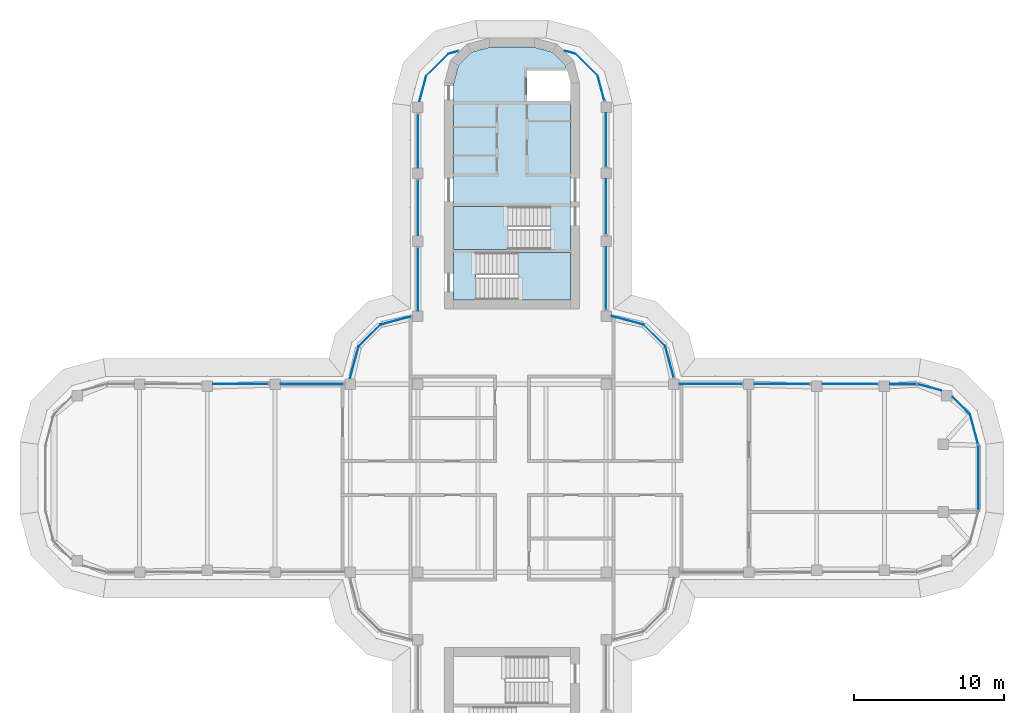
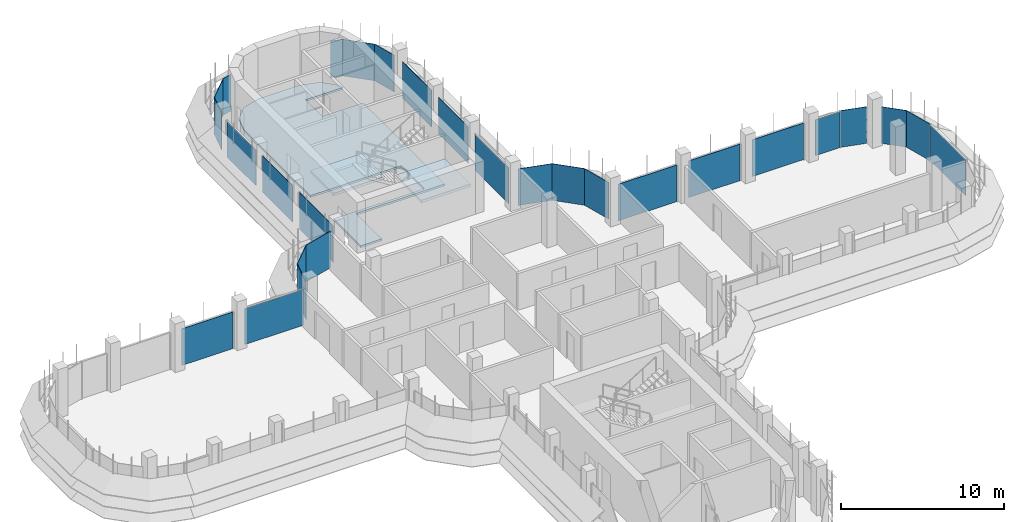
# One storey, part 12 of 19: 28 plates, 3 slabs, 22 elements without a shape of their own.
"""IFC4 building model written with IfcOpenShell, lengths in metres."""

from ifc_helpers import new_model, si_unit, direction, frame, origin, place, context, subcontext, project, spatial, polyline, outline, extrude, source, transform, mapped, material, layer, layer_set, type_object, element, aggregate, save


model = new_model("IFC4")

# Units and contexts
model_context = context("Model", 3, precision=1e-05, world=origin(), true_north=direction((0.0, 1.0)))
body_context = subcontext(model_context, "Body", "Model", "MODEL_VIEW")
ifc_project = project(units=[si_unit("LENGTHUNIT", "METRE"), si_unit("AREAUNIT", "SQUARE_METRE"), si_unit("VOLUMEUNIT", "CUBIC_METRE"), si_unit("PLANEANGLEUNIT", "RADIAN"), si_unit("MASSUNIT", "GRAM", prefix="KILO")], contexts=[model_context])

# Site, building, storey
site_placement = place(None, origin())
site = spatial("IfcSite", under=ifc_project, at=site_placement, CompositionType="ELEMENT")
building_placement = place(site_placement, origin())
building = spatial("IfcBuilding", under=site, at=building_placement, Name="Zarbagh Exchange Tower", CompositionType="ELEMENT")
storey_placement = place(building_placement, frame((0.0, 0.0, 229.60009765625)))
storey = spatial("IfcBuildingStorey", under=building, at=storey_placement, Name="L56", CompositionType="ELEMENT", Elevation=229.60009765625)

# Slab
ifc_material_1 = material(Name="Concrete C40/50", Category="concrete")
ifc_layer_1 = layer(ifc_material_1, 0.14990234375)
ifc_layer_set_1 = layer_set([ifc_layer_1], Name="Core floor slab 150 C40/50")
slab_type_1 = type_object("IfcSlabType", Name="Core floor slab 150 C40/50", PredefinedType="FLOOR", material=ifc_layer_set_1)
slab_1_placement = place(storey_placement, frame((0.0, 0.0, -0.150146484375)))
element("IfcSlab", 1, at=slab_1_placement, inside=storey, type_object=slab_type_1, Name="S17 core N", PredefinedType="FLOOR", context=body_context, shape_type="SweptSolid", body=[
    extrude(outline(polyline([(-3.89990234375, 11.85009765625), (-3.89990234375, 15.199951171875), (2.550048828125, 15.199951171875), (2.550048828125, 18.050048828125), (-3.89990234375, 18.050048828125), (-3.89990234375, 26.1708984375), (-3.56005859375, 27.439453125), (-2.689453125, 28.31005859375), (-1.4208984375, 28.64990234375), (1.4208984375, 28.64990234375), (2.689453125, 28.31005859375), (3.56005859375, 27.439453125), (3.651123046875, 27.10009765625), (1.0, 27.10009765625), (1.0, 25.050048828125), (3.89990234375, 25.050048828125), (3.89990234375, 15.0), (-2.39990234375, 15.0), (-2.39990234375, 11.85009765625), (-3.89990234375, 11.85009765625)])), origin(), (0.0, 0.0, 1.0), 0.150146484375),
])

# Stair, slab
stair_type = type_object("IfcStairType", Name="Exit stair two-flight half-turn", PredefinedType="HALF_TURN_STAIR", material=ifc_material_1)
stair_1_placement = place(storey_placement, origin())
stair_1 = element("IfcStair", 2, at=stair_1_placement, inside=storey, type_object=stair_type, Name="exit stair ST1", PredefinedType="HALF_TURN_STAIR")
ifc_layer_2 = layer(ifc_material_1, 0.199951171875)
ifc_layer_set_2 = layer_set([ifc_layer_2], Name="Stair landing 200 mm")
slab_type_2 = type_object("IfcSlabType", Name="Stair landing 200 mm", PredefinedType="LANDING", material=ifc_layer_set_2)
slab_2_placement = place(storey_placement, frame((0.0, 0.0, 1.699951171875)))
slab_2 = element("IfcSlab", 3, at=slab_2_placement, type_object=slab_type_2, Name="ST1 landing 1", PredefinedType="LANDING", context=body_context, shape_type="SweptSolid", body=[
    extrude(outline(polyline([(-0.25, 18.050048828125), (-3.89990234375, 18.050048828125), (-3.89990234375, 15.199951171875), (-0.25, 15.199951171875), (-0.25, 18.050048828125)])), origin(), (0.0, 0.0, 1.0), 0.199951171875),
])
aggregate(stair_1, [slab_2])

stair_2_placement = place(storey_placement, origin())
stair_2 = element("IfcStair", 4, at=stair_2_placement, inside=storey, type_object=stair_type, Name="exit stair ST2", PredefinedType="HALF_TURN_STAIR")
slab_3_placement = place(storey_placement, frame((0.0, 0.0, 1.699951171875)))
slab_3 = element("IfcSlab", 5, at=slab_3_placement, type_object=slab_type_2, Name="ST2 landing 1", PredefinedType="LANDING", context=body_context, shape_type="SweptSolid", body=[
    extrude(outline(polyline([(0.39990234375, 11.85009765625), (3.89990234375, 11.85009765625), (3.89990234375, 15.0), (0.39990234375, 15.0), (0.39990234375, 11.85009765625)])), origin(), (0.0, 0.0, 1.0), 0.199951171875),
])
aggregate(stair_2, [slab_3])

# Curtain wall, plate
ifc_material_2 = material(Name="Anodised aluminium frame and glazing", Category="aluminium")
curtain_wall_type = type_object("IfcCurtainWallType", Name="CWB Ribbon glazing, upper zones", PredefinedType="NOTDEFINED", material=ifc_material_2)
curtain_wall_1_placement = place(storey_placement, origin())
curtain_wall_1 = element("IfcCurtainWall", 6, at=curtain_wall_1_placement, inside=storey, type_object=curtain_wall_type, Name="CWB18 curtain wall", PredefinedType="NOTDEFINED")
ifc_material_3 = material(Name="Low-e double glazed unit, 6+12+6 mm")
ifc_layer_3 = layer(ifc_material_3, 0.031982421875)
ifc_layer_set_3 = layer_set([ifc_layer_3], Name="PAB Glazing panel, Low-e double glazed unit, 6+12+6 mm")
plate_type = type_object("IfcPlateType", Name="PAB Glazing panel, Low-e double glazed unit, 6+12+6 mm", PredefinedType="CURTAIN_PANEL", material=ifc_layer_set_3)
shared_shape_1 = source(origin(), body_context, "Body", "SweptSolid", [
    extrude(outline(polyline([(0.0, -0.01611328125), (2.061279296875, -0.01611328125), (2.061279296875, 0.01611328125), (0.0, 0.01611328125), (0.0, -0.01611328125)])), origin(), (0.0, 0.0, 1.0), 2.75),
])
placement = place(storey_placement, origin())
plate_1 = element("IfcPlate", 7, at=placement, type_object=plate_type, Name="CWB18 glazing panel 1.1", PredefinedType="CURTAIN_PANEL", context=body_context, shape_type="MappedRepresentation", body=[
    mapped(shared_shape_1, transform((10.19873046875, 8.7412109375, 0.0), x_axis=(-0.707106781187, 0.707106781187, 0.0), y_axis=(-0.707106781187, -0.707106781187, 0.0), z_axis=(0.0, 0.0, 1.0))),
])
aggregate(curtain_wall_1, [plate_1])

curtain_wall_2_placement = place(storey_placement, origin())
curtain_wall_2 = element("IfcCurtainWall", 8, at=curtain_wall_2_placement, inside=storey, type_object=curtain_wall_type, Name="CWB74 curtain wall", PredefinedType="NOTDEFINED")
plate_2 = element("IfcPlate", 9, at=placement, type_object=plate_type, Name="CWB74 glazing panel 1.1", PredefinedType="CURTAIN_PANEL", context=body_context, shape_type="MappedRepresentation", body=[
    mapped(shared_shape_1, transform((5.69873046875, 26.7412109375, 0.0), x_axis=(-0.707106781187, 0.707106781187, 0.0), y_axis=(-0.707106781187, -0.707106781187, 0.0), z_axis=(0.0, 0.0, 1.0))),
])
aggregate(curtain_wall_2, [plate_2])

curtain_wall_3_placement = place(storey_placement, origin())
curtain_wall_3 = element("IfcCurtainWall", 10, at=curtain_wall_3_placement, inside=storey, type_object=curtain_wall_type, Name="CWB71 curtain wall", PredefinedType="NOTDEFINED")
plate_3 = element("IfcPlate", 11, at=placement, type_object=plate_type, Name="CWB71 glazing panel 1.1", PredefinedType="CURTAIN_PANEL", context=body_context, shape_type="MappedRepresentation", body=[
    mapped(shared_shape_1, transform((-4.2412109375, 28.19873046875, 0.0), x_axis=(-0.707106781187, -0.707106781187, 0.0), y_axis=(0.707106781187, -0.707106781187, 0.0), z_axis=(0.0, 0.0, 1.0))),
])
aggregate(curtain_wall_3, [plate_3])

curtain_wall_4_placement = place(storey_placement, origin())
curtain_wall_4 = element("IfcCurtainWall", 12, at=curtain_wall_4_placement, inside=storey, type_object=curtain_wall_type, Name="CWB30 curtain wall", PredefinedType="NOTDEFINED")
plate_4 = element("IfcPlate", 13, at=placement, type_object=plate_type, Name="CWB30 glazing panel 1.1", PredefinedType="CURTAIN_PANEL", context=body_context, shape_type="MappedRepresentation", body=[
    mapped(shared_shape_1, transform((-8.7412109375, 10.19873046875, 0.0), x_axis=(-0.707106781187, -0.707106781187, 0.0), y_axis=(0.707106781187, -0.707106781187, 0.0), z_axis=(0.0, 0.0, 1.0))),
])
aggregate(curtain_wall_4, [plate_4])

curtain_wall_5_placement = place(storey_placement, origin())
curtain_wall_5 = element("IfcCurtainWall", 14, at=curtain_wall_5_placement, inside=storey, type_object=curtain_wall_type, Name="CWB67 curtain wall", PredefinedType="NOTDEFINED")
shared_shape_2 = source(origin(), body_context, "Body", "SweptSolid", [
    extrude(outline(polyline([(0.0, -0.01611328125), (3.56005859375, -0.01611328125), (3.56005859375, 0.01611328125), (0.0, 0.01611328125), (0.0, -0.01611328125)])), origin(), (0.0, 0.0, 1.0), 2.75),
])
plate_5 = element("IfcPlate", 15, at=placement, type_object=plate_type, Name="CWB67 glazing panel 3.1", PredefinedType="CURTAIN_PANEL", context=body_context, shape_type="MappedRepresentation", body=[
    mapped(shared_shape_2, transform((6.25, 20.699951171875, 0.0), x_axis=(0.0, 1.0, 0.0), y_axis=(-1.0, 0.0, 0.0), z_axis=(0.0, 0.0, 1.0))),
])

curtain_wall_6_placement = place(storey_placement, origin())
curtain_wall_6 = element("IfcCurtainWall", 16, at=curtain_wall_6_placement, inside=storey, type_object=curtain_wall_type, Name="CWB12 curtain wall", PredefinedType="NOTDEFINED")
shared_shape_3 = source(origin(), body_context, "Body", "SweptSolid", [
    extrude(outline(polyline([(0.0, -0.01611328125), (4.308349609375, -0.01611328125), (4.308349609375, 0.01611328125), (0.0, 0.01611328125), (0.0, -0.01611328125)])), origin(), (0.0, 0.0, 1.0), 2.68994140625),
])
plate_6 = element("IfcPlate", 17, at=placement, type_object=plate_type, Name="CWB12 glazing panel 1.1", PredefinedType="CURTAIN_PANEL", context=body_context, shape_type="MappedRepresentation", body=[
    mapped(shared_shape_3, transform((31.0, -2.124267578125, 0.0), x_axis=(0.0, 1.0, 0.0), y_axis=(-1.0, 0.0, 0.0), z_axis=(0.0, 0.0, 1.0))),
])
aggregate(curtain_wall_6, [plate_6])

curtain_wall_7_placement = place(storey_placement, origin())
curtain_wall_7 = element("IfcCurtainWall", 18, at=curtain_wall_7_placement, inside=storey, type_object=curtain_wall_type, Name="CWB13 curtain wall", PredefinedType="NOTDEFINED")
shared_shape_4 = source(origin(), body_context, "Body", "SweptSolid", [
    extrude(outline(polyline([(0.0, -0.01611328125), (2.069580078125, -0.01611328125), (2.069580078125, 0.01611328125), (0.0, 0.01611328125), (0.0, -0.01611328125)])), origin(), (0.0, 0.0, 1.0), 2.75),
])
plate_7 = element("IfcPlate", 19, at=placement, type_object=plate_type, Name="CWB13 glazing panel 1.1", PredefinedType="CURTAIN_PANEL", context=body_context, shape_type="MappedRepresentation", body=[
    mapped(shared_shape_4, transform((30.984375, 2.2421875, 0.0), x_axis=(-0.258824779902, 0.965924289636, 0.0), y_axis=(-0.965924289636, -0.258824779902, 0.0), z_axis=(0.0, 0.0, 1.0))),
])
aggregate(curtain_wall_7, [plate_7])

curtain_wall_8_placement = place(storey_placement, origin())
curtain_wall_8 = element("IfcCurtainWall", 20, at=curtain_wall_8_placement, inside=storey, type_object=curtain_wall_type, Name="CWB73 curtain wall", PredefinedType="NOTDEFINED")
shared_shape_5 = source(origin(), body_context, "Body", "SweptSolid", [
    extrude(outline(polyline([(0.0, -0.01611328125), (3.56005859375, -0.01611328125), (3.56005859375, 0.01611328125), (0.0, 0.01611328125), (0.0, -0.01611328125)])), origin(), (0.0, 0.0, 1.0), 2.68994140625),
])
plate_8 = element("IfcPlate", 21, at=placement, type_object=plate_type, Name="CWB73 glazing panel 1.1", PredefinedType="CURTAIN_PANEL", context=body_context, shape_type="MappedRepresentation", body=[
    mapped(shared_shape_5, transform((-6.25, 24.199951171875, 0.0), x_axis=(0.0, -1.0, 0.0), y_axis=(1.0, 0.0, 0.0), z_axis=(0.0, 0.0, 1.0))),
])

curtain_wall_9_placement = place(storey_placement, origin())
curtain_wall_9 = element("IfcCurtainWall", 22, at=curtain_wall_9_placement, inside=storey, type_object=curtain_wall_type, Name="CWB72 curtain wall", PredefinedType="NOTDEFINED")
shared_shape_6 = source(origin(), body_context, "Body", "SweptSolid", [
    extrude(outline(polyline([(0.0, -0.01611328125), (1.76123046875, -0.01611328125), (1.76123046875, 0.01611328125), (0.0, 0.01611328125), (0.0, -0.01611328125)])), origin(), (0.0, 0.0, 1.0), 2.75),
])
plate_9 = element("IfcPlate", 23, at=placement, type_object=plate_type, Name="CWB72 glazing panel 1.1", PredefinedType="CURTAIN_PANEL", context=body_context, shape_type="MappedRepresentation", body=[
    mapped(shared_shape_6, transform((-5.69873046875, 26.7412109375, 0.0), x_axis=(-0.258824779902, -0.965924289636, 0.0), y_axis=(0.965924289636, -0.258824779902, 0.0), z_axis=(0.0, 0.0, 1.0))),
])
aggregate(curtain_wall_9, [plate_9])

# Curtain wall, plates
curtain_wall_10_placement = place(storey_placement, origin())
curtain_wall_10 = element("IfcCurtainWall", 24, at=curtain_wall_10_placement, inside=storey, type_object=curtain_wall_type, Name="CWB16 curtain wall", PredefinedType="NOTDEFINED")
shared_shape_7 = source(origin(), body_context, "Body", "SweptSolid", [
    extrude(outline(polyline([(0.0, -0.01611328125), (3.659912109375, -0.01611328125), (3.659912109375, 0.01611328125), (0.0, 0.01611328125), (0.0, -0.01611328125)])), origin(), (0.0, 0.0, 1.0), 2.75),
])
plate_10 = element("IfcPlate", 25, at=placement, type_object=plate_type, Name="CWB16 glazing panel 2.1", PredefinedType="CURTAIN_PANEL", context=body_context, shape_type="MappedRepresentation", body=[
    mapped(shared_shape_7, transform((24.300048828125, 6.25, 0.0), x_axis=(-1.0, 0.0, 0.0), y_axis=(0.0, -1.0, 0.0), z_axis=(0.0, 0.0, 1.0))),
])
plate_11 = element("IfcPlate", 26, at=placement, type_object=plate_type, Name="CWB16 glazing panel 3.1", PredefinedType="CURTAIN_PANEL", context=body_context, shape_type="MappedRepresentation", body=[
    mapped(shared_shape_7, transform((19.800048828125, 6.25, 0.0), x_axis=(-1.0, 0.0, 0.0), y_axis=(0.0, -1.0, 0.0), z_axis=(0.0, 0.0, 1.0))),
])

# Plate
plate_12 = element("IfcPlate", 27, at=placement, type_object=plate_type, Name="CWB67 glazing panel 2.1", PredefinedType="CURTAIN_PANEL", context=body_context, shape_type="MappedRepresentation", body=[
    mapped(shared_shape_7, transform((6.25, 16.199951171875, 0.0), x_axis=(0.0, 1.0, 0.0), y_axis=(-1.0, 0.0, 0.0), z_axis=(0.0, 0.0, 1.0))),
])

plate_13 = element("IfcPlate", 28, at=placement, type_object=plate_type, Name="CWB73 glazing panel 2.1", PredefinedType="CURTAIN_PANEL", context=body_context, shape_type="MappedRepresentation", body=[
    mapped(shared_shape_7, transform((-6.25, 19.800048828125, 0.0), x_axis=(0.0, -1.0, 0.0), y_axis=(1.0, 0.0, 0.0), z_axis=(0.0, 0.0, 1.0))),
])

# Curtain wall, plate
curtain_wall_11_placement = place(storey_placement, origin())
curtain_wall_11 = element("IfcCurtainWall", 29, at=curtain_wall_11_placement, inside=storey, type_object=curtain_wall_type, Name="CWB58 curtain wall", PredefinedType="NOTDEFINED")
plate_14 = element("IfcPlate", 30, at=placement, type_object=plate_type, Name="CWB58 glazing panel 2.1", PredefinedType="CURTAIN_PANEL", context=body_context, shape_type="MappedRepresentation", body=[
    mapped(shared_shape_7, transform((-16.199951171875, 6.25, 0.0), x_axis=(-1.0, 0.0, 0.0), y_axis=(0.0, -1.0, 0.0), z_axis=(0.0, 0.0, 1.0))),
])

# Plate
shared_shape_8 = source(origin(), body_context, "Body", "SweptSolid", [
    extrude(outline(polyline([(0.0, -0.01611328125), (4.159912109375, -0.01611328125), (4.159912109375, 0.01611328125), (0.0, 0.01611328125), (0.0, -0.01611328125)])), origin(), (0.0, 0.0, 1.0), 2.75),
])
plate_15 = element("IfcPlate", 31, at=placement, type_object=plate_type, Name="CWB16 glazing panel 4.1", PredefinedType="CURTAIN_PANEL", context=body_context, shape_type="MappedRepresentation", body=[
    mapped(shared_shape_8, transform((15.300048828125, 6.25, 0.0), x_axis=(-1.0, 0.0, 0.0), y_axis=(0.0, -1.0, 0.0), z_axis=(0.0, 0.0, 1.0))),
])

plate_16 = element("IfcPlate", 32, at=placement, type_object=plate_type, Name="CWB73 glazing panel 3.1", PredefinedType="CURTAIN_PANEL", context=body_context, shape_type="MappedRepresentation", body=[
    mapped(shared_shape_8, transform((-6.25, 15.300048828125, 0.0), x_axis=(0.0, -1.0, 0.0), y_axis=(1.0, 0.0, 0.0), z_axis=(0.0, 0.0, 1.0))),
])

aggregate(curtain_wall_8, [plate_8, plate_13, plate_16])

# Curtain wall, plate
curtain_wall_12_placement = place(storey_placement, origin())
curtain_wall_12 = element("IfcCurtainWall", 33, at=curtain_wall_12_placement, inside=storey, type_object=curtain_wall_type, Name="CWB17 curtain wall", PredefinedType="NOTDEFINED")
shared_shape_9 = source(origin(), body_context, "Body", "SweptSolid", [
    extrude(outline(polyline([(0.0, -0.01611328125), (2.115234375, -0.01611328125), (2.115234375, 0.01611328125), (0.0, 0.01611328125), (0.0, -0.01611328125)])), origin(), (0.0, 0.0, 1.0), 2.75),
])
plate_17 = element("IfcPlate", 34, at=placement, type_object=plate_type, Name="CWB17 glazing panel 1.1", PredefinedType="CURTAIN_PANEL", context=body_context, shape_type="MappedRepresentation", body=[
    mapped(shared_shape_9, transform((10.746337890625, 6.697998046875, 0.0), x_axis=(-0.258824779902, 0.965924289636, 0.0), y_axis=(-0.965924289636, -0.258824779902, 0.0), z_axis=(0.0, 0.0, 1.0))),
])
aggregate(curtain_wall_12, [plate_17])

curtain_wall_13_placement = place(storey_placement, origin())
curtain_wall_13 = element("IfcCurtainWall", 35, at=curtain_wall_13_placement, inside=storey, type_object=curtain_wall_type, Name="CWB29 curtain wall", PredefinedType="NOTDEFINED")
plate_18 = element("IfcPlate", 36, at=placement, type_object=plate_type, Name="CWB29 glazing panel 1.1", PredefinedType="CURTAIN_PANEL", context=body_context, shape_type="MappedRepresentation", body=[
    mapped(shared_shape_9, transform((-6.697998046875, 10.746337890625, 0.0), x_axis=(-0.965924289636, -0.258824779902, 0.0), y_axis=(0.258824779902, -0.965924289636, 0.0), z_axis=(0.0, 0.0, 1.0))),
])
aggregate(curtain_wall_13, [plate_18])

curtain_wall_14_placement = place(storey_placement, origin())
curtain_wall_14 = element("IfcCurtainWall", 37, at=curtain_wall_14_placement, inside=storey, type_object=curtain_wall_type, Name="CWB19 curtain wall", PredefinedType="NOTDEFINED")
shared_shape_10 = source(origin(), body_context, "Body", "SweptSolid", [
    extrude(outline(polyline([(0.0, -0.01611328125), (2.17529296875, -0.01611328125), (2.17529296875, 0.01611328125), (0.0, 0.01611328125), (0.0, -0.01611328125)])), origin(), (0.0, 0.0, 1.0), 2.75),
])
plate_19 = element("IfcPlate", 38, at=placement, type_object=plate_type, Name="CWB19 glazing panel 1.1", PredefinedType="CURTAIN_PANEL", context=body_context, shape_type="MappedRepresentation", body=[
    mapped(shared_shape_10, transform((8.7412109375, 10.19873046875, 0.0), x_axis=(-0.965924289636, 0.258824779902, 0.0), y_axis=(-0.258824779902, -0.965924289636, 0.0), z_axis=(0.0, 0.0, 1.0))),
])
aggregate(curtain_wall_14, [plate_19])

curtain_wall_15_placement = place(storey_placement, origin())
curtain_wall_15 = element("IfcCurtainWall", 39, at=curtain_wall_15_placement, inside=storey, type_object=curtain_wall_type, Name="CWB31 curtain wall", PredefinedType="NOTDEFINED")
plate_20 = element("IfcPlate", 40, at=placement, type_object=plate_type, Name="CWB31 glazing panel 1.1", PredefinedType="CURTAIN_PANEL", context=body_context, shape_type="MappedRepresentation", body=[
    mapped(shared_shape_10, transform((-10.19873046875, 8.7412109375, 0.0), x_axis=(-0.258824779902, -0.965924289636, 0.0), y_axis=(0.965924289636, -0.258824779902, 0.0), z_axis=(0.0, 0.0, 1.0))),
])
aggregate(curtain_wall_15, [plate_20])

# Plate
shared_shape_11 = source(origin(), body_context, "Body", "SweptSolid", [
    extrude(outline(polyline([(0.0, -0.01611328125), (4.159912109375, -0.01611328125), (4.159912109375, 0.01611328125), (0.0, 0.01611328125), (0.0, -0.01611328125)])), origin(), (0.0, 0.0, 1.0), 2.68994140625),
])
plate_21 = element("IfcPlate", 41, at=placement, type_object=plate_type, Name="CWB67 glazing panel 1.1", PredefinedType="CURTAIN_PANEL", context=body_context, shape_type="MappedRepresentation", body=[
    mapped(shared_shape_11, transform((6.25, 11.199951171875, 0.0), x_axis=(0.0, 1.0, 0.0), y_axis=(-1.0, 0.0, 0.0), z_axis=(0.0, 0.0, 1.0))),
])

aggregate(curtain_wall_5, [plate_21, plate_12, plate_5])

plate_22 = element("IfcPlate", 42, at=placement, type_object=plate_type, Name="CWB58 glazing panel 1.1", PredefinedType="CURTAIN_PANEL", context=body_context, shape_type="MappedRepresentation", body=[
    mapped(shared_shape_11, transform((-11.199951171875, 6.25, 0.0), x_axis=(-1.0, 0.0, 0.0), y_axis=(0.0, -1.0, 0.0), z_axis=(0.0, 0.0, 1.0))),
])

aggregate(curtain_wall_11, [plate_22, plate_14])

# Curtain wall, plate
curtain_wall_16_placement = place(storey_placement, origin())
curtain_wall_16 = element("IfcCurtainWall", 43, at=curtain_wall_16_placement, inside=storey, type_object=curtain_wall_type, Name="CWB14 curtain wall", PredefinedType="NOTDEFINED")
shared_shape_12 = source(origin(), body_context, "Body", "SweptSolid", [
    extrude(outline(polyline([(0.0, -0.01611328125), (1.62744140625, -0.01611328125), (1.62744140625, 0.01611328125), (0.0, 0.01611328125), (0.0, -0.01611328125)])), origin(), (0.0, 0.0, 1.0), 2.75),
])
plate_23 = element("IfcPlate", 44, at=placement, type_object=plate_type, Name="CWB14 glazing panel 1.1", PredefinedType="CURTAIN_PANEL", context=body_context, shape_type="MappedRepresentation", body=[
    mapped(shared_shape_12, transform((30.44873046875, 4.2412109375, 0.0), x_axis=(-0.707106781187, 0.707106781187, 0.0), y_axis=(-0.707106781187, -0.707106781187, 0.0), z_axis=(0.0, 0.0, 1.0))),
])
aggregate(curtain_wall_16, [plate_23])

curtain_wall_17_placement = place(storey_placement, origin())
curtain_wall_17 = element("IfcCurtainWall", 45, at=curtain_wall_17_placement, inside=storey, type_object=curtain_wall_type, Name="CWB15 curtain wall", PredefinedType="NOTDEFINED")
shared_shape_13 = source(origin(), body_context, "Body", "SweptSolid", [
    extrude(outline(polyline([(0.0, -0.01611328125), (1.6396484375, -0.01611328125), (1.6396484375, 0.01611328125), (0.0, 0.01611328125), (0.0, -0.01611328125)])), origin(), (0.0, 0.0, 1.0), 2.75),
])
plate_24 = element("IfcPlate", 46, at=placement, type_object=plate_type, Name="CWB15 glazing panel 1.1", PredefinedType="CURTAIN_PANEL", context=body_context, shape_type="MappedRepresentation", body=[
    mapped(shared_shape_13, transform((28.51806640625, 5.82568359375, 0.0), x_axis=(-0.965924289636, 0.258824779902, 0.0), y_axis=(-0.258824779902, -0.965924289636, 0.0), z_axis=(0.0, 0.0, 1.0))),
])
aggregate(curtain_wall_17, [plate_24])

# Plate
shared_shape_14 = source(origin(), body_context, "Body", "SweptSolid", [
    extrude(outline(polyline([(0.0, -0.01611328125), (1.734130859375, -0.01611328125), (1.734130859375, 0.01611328125), (0.0, 0.01611328125), (0.0, -0.01611328125)])), origin(), (0.0, 0.0, 1.0), 2.68994140625),
])
plate_25 = element("IfcPlate", 47, at=placement, type_object=plate_type, Name="CWB16 glazing panel 1.1", PredefinedType="CURTAIN_PANEL", context=body_context, shape_type="MappedRepresentation", body=[
    mapped(shared_shape_14, transform((26.874267578125, 6.25, 0.0), x_axis=(-1.0, 0.0, 0.0), y_axis=(0.0, -1.0, 0.0), z_axis=(0.0, 0.0, 1.0))),
])

aggregate(curtain_wall_10, [plate_25, plate_10, plate_11, plate_15])

# Curtain wall, plate
curtain_wall_18_placement = place(storey_placement, origin())
curtain_wall_18 = element("IfcCurtainWall", 48, at=curtain_wall_18_placement, inside=storey, type_object=curtain_wall_type, Name="CWB68 curtain wall", PredefinedType="NOTDEFINED")
shared_shape_15 = source(origin(), body_context, "Body", "SweptSolid", [
    extrude(outline(polyline([(0.0, -0.01611328125), (1.701171875, -0.01611328125), (1.701171875, 0.01611328125), (0.0, 0.01611328125), (0.0, -0.01611328125)])), origin(), (0.0, 0.0, 1.0), 2.75),
])
plate_26 = element("IfcPlate", 49, at=placement, type_object=plate_type, Name="CWB68 glazing panel 1.1", PredefinedType="CURTAIN_PANEL", context=body_context, shape_type="MappedRepresentation", body=[
    mapped(shared_shape_15, transform((6.13916015625, 25.097900390625, 0.0), x_axis=(-0.258824779902, 0.965924289636, 0.0), y_axis=(-0.965924289636, -0.258824779902, 0.0), z_axis=(0.0, 0.0, 1.0))),
])
aggregate(curtain_wall_18, [plate_26])

curtain_wall_19_placement = place(storey_placement, origin())
curtain_wall_19 = element("IfcCurtainWall", 50, at=curtain_wall_19_placement, inside=storey, type_object=curtain_wall_type, Name="CWB69 curtain wall", PredefinedType="NOTDEFINED")
shared_shape_16 = source(origin(), body_context, "Body", "SweptSolid", [
    extrude(outline(polyline([(0.0, -0.01611328125), (0.757080078125, -0.01611328125), (0.757080078125, 0.01611328125), (0.0, 0.01611328125), (0.0, -0.01611328125)])), origin(), (0.0, 0.0, 1.0), 2.75),
])
plate_27 = element("IfcPlate", 51, at=placement, type_object=plate_type, Name="CWB69 glazing panel 1.1", PredefinedType="CURTAIN_PANEL", context=body_context, shape_type="MappedRepresentation", body=[
    mapped(shared_shape_16, transform((4.2412109375, 28.19873046875, 0.0), x_axis=(-0.965924289636, 0.258824779902, 0.0), y_axis=(-0.258824779902, -0.965924289636, 0.0), z_axis=(0.0, 0.0, 1.0))),
])
aggregate(curtain_wall_19, [plate_27])

curtain_wall_20_placement = place(storey_placement, origin())
curtain_wall_20 = element("IfcCurtainWall", 52, at=curtain_wall_20_placement, inside=storey, type_object=curtain_wall_type, Name="CWB70 curtain wall", PredefinedType="NOTDEFINED")
shared_shape_17 = source(origin(), body_context, "Body", "SweptSolid", [
    extrude(outline(polyline([(0.0, -0.01611328125), (0.697021484375, -0.01611328125), (0.697021484375, 0.01611328125), (0.0, 0.01611328125), (0.0, -0.01611328125)])), origin(), (0.0, 0.0, 1.0), 2.75),
])
plate_28 = element("IfcPlate", 53, at=placement, type_object=plate_type, Name="CWB70 glazing panel 1.1", PredefinedType="CURTAIN_PANEL", context=body_context, shape_type="MappedRepresentation", body=[
    mapped(shared_shape_17, transform((-3.56787109375, 28.379150390625, 0.0), x_axis=(-0.965924289636, -0.258824779902, 0.0), y_axis=(0.258824779902, -0.965924289636, 0.0), z_axis=(0.0, 0.0, 1.0))),
])
aggregate(curtain_wall_20, [plate_28])

save(model, "model.ifc")
